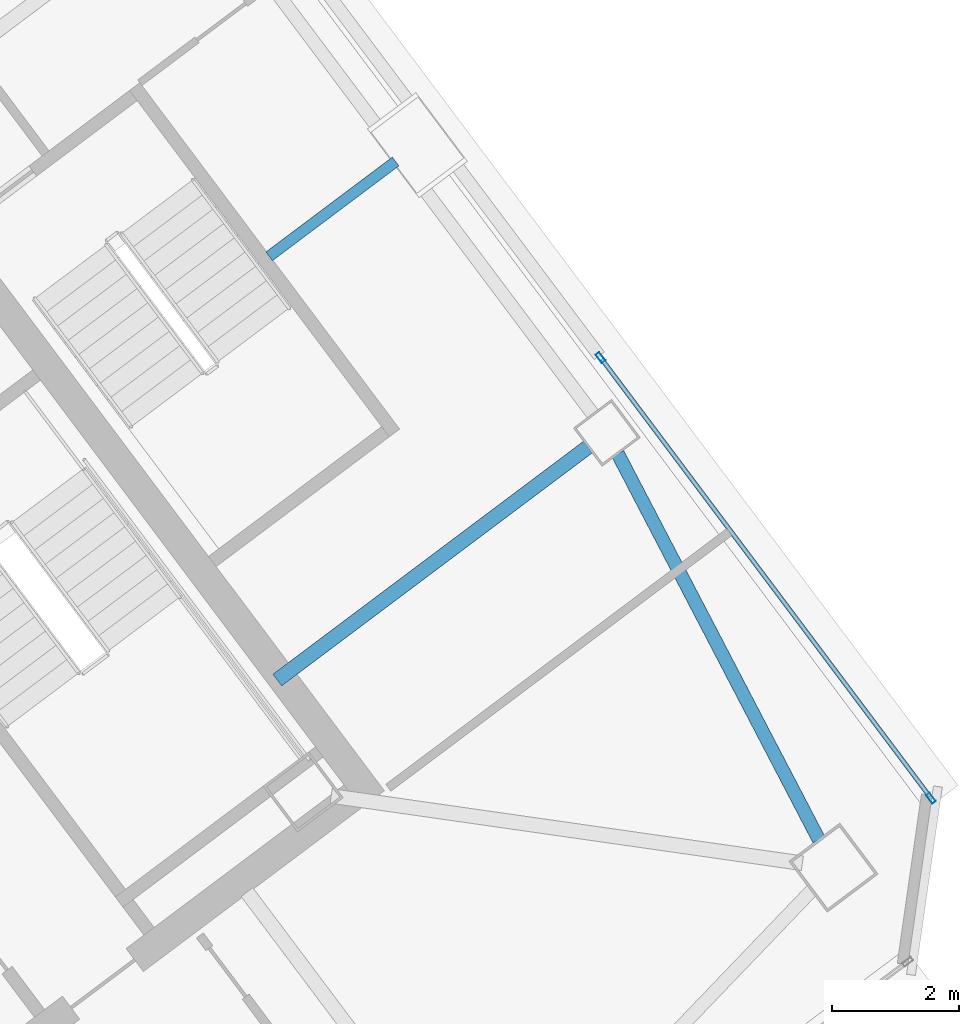
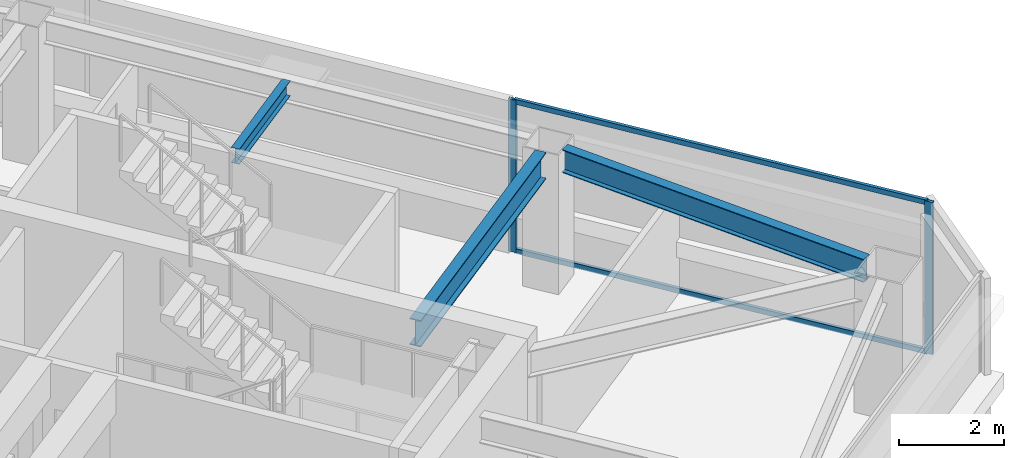
# One storey, part 24 of 39: 4 members, 3 beams, 1 element without a shape of its own.
"""IFC4 building model written with IfcOpenShell, lengths in metres."""

from ifc_helpers import new_model, si_unit, direction, frame, origin, origin_2d, place, context, subcontext, project, spatial, hollow_rectangle, i_section, extrude, material, material_profile, profile_set, type_object, element, aggregate, save


model = new_model("IFC4")

# Units and contexts
model_context = context("Model", 3, precision=1e-05, world=origin(), true_north=direction((0.0, 1.0)))
body_context = subcontext(model_context, "Body", "Model", "MODEL_VIEW")
ifc_project = project(units=[si_unit("LENGTHUNIT", "METRE"), si_unit("AREAUNIT", "SQUARE_METRE"), si_unit("VOLUMEUNIT", "CUBIC_METRE"), si_unit("PLANEANGLEUNIT", "RADIAN"), si_unit("MASSUNIT", "GRAM", prefix="KILO")], contexts=[model_context])

# Site, building, storey
site_placement = place(None, origin())
site = spatial("IfcSite", under=ifc_project, at=site_placement, CompositionType="ELEMENT")
building_placement = place(site_placement, origin())
building = spatial("IfcBuilding", under=site, at=building_placement, Name="Tashvorn Skyway Center", CompositionType="ELEMENT")
storey_placement = place(building_placement, frame((0.0, 0.0, 243.25)))
storey = spatial("IfcBuildingStorey", under=building, at=storey_placement, Name="L66", CompositionType="ELEMENT", Elevation=243.25)

# Beams
ifc_material_1 = material(Name="Steel ASTM A992 Grade 50", Category="steel")
ifc_material_profile_1 = material_profile(ifc_material_1, i_section(OverallWidth=0.22998046875, OverallDepth=0.616943359375, WebThickness=0.01318359375, FlangeThickness=0.022216796875, at=origin_2d()), Name="W24X94")
ifc_profile_set_1 = profile_set([ifc_material_profile_1], Name="Steel ASTM A992 Grade 50")
beam_type_1 = type_object("IfcBeamType", Name="BM-BEAM-W24X94", PredefinedType="BEAM", material=ifc_profile_set_1)
beam_1_placement = place(storey_placement, frame((128.343994140625, 36.008056640625, 2.94140625), z_axis=(-0.799980788524, -0.600025614447, 0.0), x_axis=(0.600025614447, -0.799980788524, 0.0)))
element("IfcBeam", 1, at=beam_1_placement, inside=storey, type_object=beam_type_1, Name="Tower 2 L66 Primary Floor Girder FC-E1", PredefinedType="BEAM", context=body_context, shape_type="SweptSolid", body=[
    extrude(i_section(OverallWidth=0.22998046875, OverallDepth=0.616943359375, WebThickness=0.01318359375, FlangeThickness=0.022216796875, at=origin_2d()), origin(), (0.0, 0.0, 1.0), 6.10009765625),
])
ifc_material_profile_2 = material_profile(ifc_material_1, i_section(OverallWidth=0.1708984375, OverallDepth=0.35498046875, WebThickness=0.007080078125, FlangeThickness=0.01171875, at=origin_2d()), Name="W14X34")
ifc_profile_set_2 = profile_set([ifc_material_profile_2], Name="Steel ASTM A992 Grade 50")
beam_type_2 = type_object("IfcBeamType", Name="BM-JOIST-W14X34", PredefinedType="JOIST", material=ifc_profile_set_2)
beam_2_placement = place(storey_placement, frame((123.3359375, 39.001953125, 3.072509765625), z_axis=(0.80001180088, 0.599984265171, 0.0), x_axis=(-0.599984265171, 0.80001180088, 0.0)))
element("IfcBeam", 2, at=beam_2_placement, inside=storey, type_object=beam_type_2, Name="Tower 2 L66 Secondary Composite Joist JE", PredefinedType="JOIST", context=body_context, shape_type="SweptSolid", body=[
    extrude(i_section(OverallWidth=0.1708984375, OverallDepth=0.35498046875, WebThickness=0.007080078125, FlangeThickness=0.01171875, at=origin_2d()), origin(), (0.0, 0.0, 1.0), 2.482666015625),
])
ifc_material_profile_3 = material_profile(ifc_material_1, i_section(OverallWidth=0.2109375, OverallDepth=0.5390625, WebThickness=0.01171875, FlangeThickness=0.018798828125, at=origin_2d()), Name="W21X73")
ifc_profile_set_3 = profile_set([ifc_material_profile_3], Name="Steel ASTM A992 Grade 50")
beam_type_3 = type_object("IfcBeamType", Name="BM-SPANDREL-W21X73", PredefinedType="SPANDREL", material=ifc_profile_set_3)
beam_3_placement = place(storey_placement, frame((131.97119140625, 29.8388671875, 2.98046875), z_axis=(-0.462204749472, 0.886773234579, 0.0), x_axis=(-0.886773234579, -0.462204749472, 0.0)))
element("IfcBeam", 3, at=beam_3_placement, inside=storey, type_object=beam_type_3, Name="Tower 2 L66 Spandrel Beam 04", PredefinedType="SPANDREL", context=body_context, shape_type="SweptSolid", body=[
    extrude(i_section(OverallWidth=0.2109375, OverallDepth=0.5390625, WebThickness=0.01171875, FlangeThickness=0.018798828125, at=origin_2d()), origin(), (0.0, 0.0, 1.0), 6.837158203125),
])

# Curtain wall, members
ifc_material_2 = material(Name="Thermally broken bronze-anodized aluminium 6063-T6", Category="aluminium")
curtain_wall_type = type_object("IfcCurtainWallType", Name="CW-CW-Z5", PredefinedType="NOTDEFINED", material=ifc_material_2)
curtain_wall_placement = place(storey_placement, origin())
curtain_wall = element("IfcCurtainWall", 4, at=curtain_wall_placement, inside=storey, type_object=curtain_wall_type, Name="Tower 2 L66 East Unitised Curtain Wall Glazing Group 2", PredefinedType="NOTDEFINED")
ifc_material_profile_4 = material_profile(ifc_material_2, hollow_rectangle(XDim=0.070068359375, YDim=0.1650390625, WallThickness=0.00390625, at=origin_2d()), Name="ALU-MULL-70x165")
ifc_profile_set_4 = profile_set([ifc_material_profile_4], Name="Thermally broken bronze-anodized aluminium 6063-T6")
member_type_1 = type_object("IfcMemberType", Name="CWM-CW-Z5", PredefinedType="MULLION", material=ifc_profile_set_4)
member_1_placement = place(storey_placement, frame((128.541015625, 37.412109375, 0.0), z_axis=(0.0, 0.0, 1.0), x_axis=(0.799999999998, 0.600000000002, 0.0)))
member_1 = element("IfcMember", 5, at=member_1_placement, type_object=member_type_1, Name="CW-Z5 mullion 1", PredefinedType="MULLION", context=body_context, shape_type="SweptSolid", body=[
    extrude(hollow_rectangle(XDim=0.070068359375, YDim=0.1650390625, WallThickness=0.00390625, at=origin_2d()), origin(), (0.0, 0.0, 1.0), 3.550048828125),
])
member_2_placement = place(storey_placement, frame((133.73095703125, 30.491943359375, 0.0), z_axis=(0.0, 0.0, 1.0), x_axis=(0.799999999998, 0.600000000002, 0.0)))
member_2 = element("IfcMember", 6, at=member_2_placement, type_object=member_type_1, Name="CW-Z5 mullion 2", PredefinedType="MULLION", context=body_context, shape_type="SweptSolid", body=[
    extrude(hollow_rectangle(XDim=0.070068359375, YDim=0.1650390625, WallThickness=0.00390625, at=origin_2d()), origin(), (0.0, 0.0, 1.0), 3.550048828125),
])
ifc_material_profile_5 = material_profile(ifc_material_2, hollow_rectangle(XDim=0.070068359375, YDim=0.114990234375, WallThickness=0.00390625, at=origin_2d()), Name="ALU-TRAN-70x115")
ifc_profile_set_5 = profile_set([ifc_material_profile_5], Name="Thermally broken bronze-anodized aluminium 6063-T6")
member_type_2 = type_object("IfcMemberType", Name="CWT-CW-Z5", PredefinedType="USERDEFINED", material=ifc_profile_set_5)
member_3_placement = place(storey_placement, frame((128.56201171875, 37.384033203125, 0.034912109375), z_axis=(0.599995447241, -0.800003414549, 0.0), x_axis=(0.800003414549, 0.599995447241, 0.0)))
member_3 = element("IfcMember", 7, at=member_3_placement, type_object=member_type_2, Name="CW-Z5 transom 1.1", ObjectType="TRANSOM", PredefinedType="USERDEFINED", context=body_context, shape_type="SweptSolid", body=[
    extrude(hollow_rectangle(XDim=0.070068359375, YDim=0.114990234375, WallThickness=0.00390625, at=origin_2d()), origin(), (0.0, 0.0, 1.0), 8.580078125),
])
member_4_placement = place(storey_placement, frame((128.56201171875, 37.384033203125, 3.514892578125), z_axis=(0.599995447241, -0.800003414549, 0.0), x_axis=(0.800003414549, 0.599995447241, 0.0)))
member_4 = element("IfcMember", 8, at=member_4_placement, type_object=member_type_2, Name="CW-Z5 transom 1.2", ObjectType="TRANSOM", PredefinedType="USERDEFINED", context=body_context, shape_type="SweptSolid", body=[
    extrude(hollow_rectangle(XDim=0.070068359375, YDim=0.114990234375, WallThickness=0.00390625, at=origin_2d()), origin(), (0.0, 0.0, 1.0), 8.580078125),
])
aggregate(curtain_wall, [member_1, member_2, member_3, member_4])

save(model, "model.ifc")
